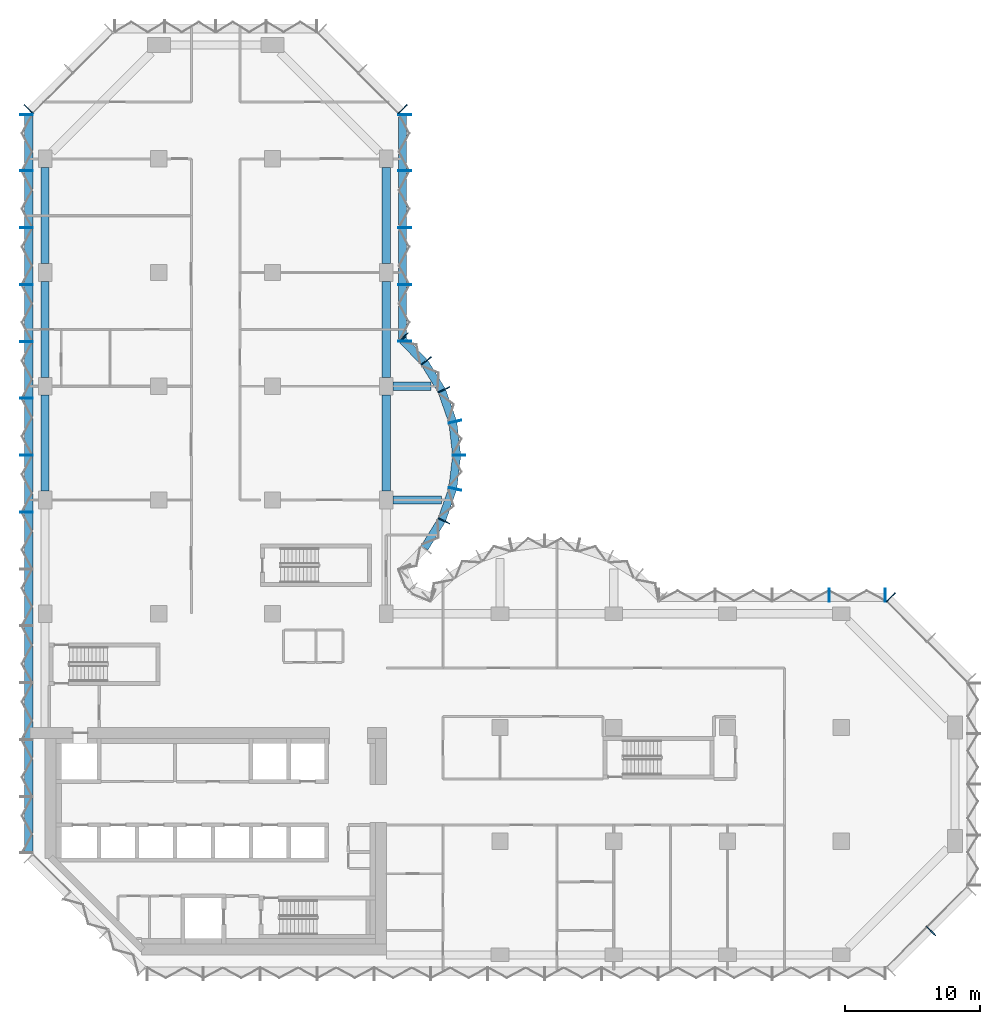
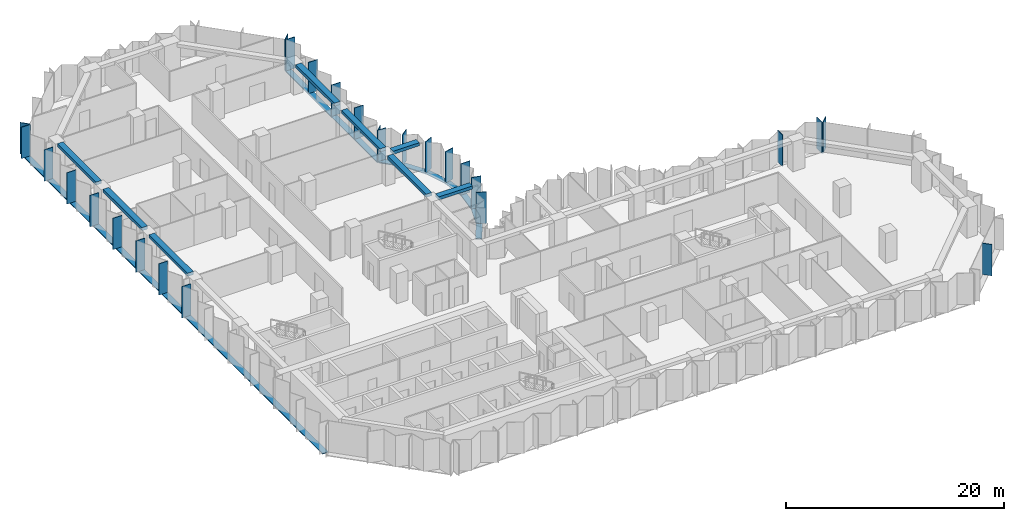
# One storey, part 3 of 13: 35 members, 8 beams, 8 elements without a shape of their own.
"""IFC4 building model written with IfcOpenShell, lengths in metres."""

from ifc_helpers import new_model, si_unit, direction, frame, origin, origin_2d, place, context, subcontext, project, spatial, rectangle, extrude, material, material_profile, profile_set, type_object, element, aggregate, save


model = new_model("IFC4")

# Units and contexts
model_context = context("Model", 3, precision=1e-05, world=origin(), true_north=direction((0.0, 1.0)))
body_context = subcontext(model_context, "Body", "Model", "MODEL_VIEW")
ifc_project = project(units=[si_unit("LENGTHUNIT", "METRE"), si_unit("AREAUNIT", "SQUARE_METRE"), si_unit("VOLUMEUNIT", "CUBIC_METRE"), si_unit("PLANEANGLEUNIT", "RADIAN"), si_unit("MASSUNIT", "GRAM", prefix="KILO")], contexts=[model_context])

# Site, building, storey
site_placement = place(None, origin())
site = spatial("IfcSite", under=ifc_project, at=site_placement, CompositionType="ELEMENT")
building_placement = place(site_placement, origin())
building = spatial("IfcBuilding", under=site, at=building_placement, Name="Brevane Broadcast Tower", CompositionType="ELEMENT")
storey_placement = place(building_placement, frame((0.0, 0.0, 106.10009765625)))
storey = spatial("IfcBuildingStorey", under=building, at=storey_placement, Name="L25", CompositionType="ELEMENT", Elevation=106.10009765625)

# Curtain wall, member
ifc_material_1 = material(Name="Aluminium 6063-T6 bronze anodised", Category="aluminium")
curtain_wall_type = type_object("IfcCurtainWallType", Name="CW-1 curtain wall", PredefinedType="NOTDEFINED", material=ifc_material_1)
curtain_wall_1_placement = place(storey_placement, origin())
curtain_wall_1 = element("IfcCurtainWall", 1, at=curtain_wall_1_placement, inside=storey, type_object=curtain_wall_type, Name="CW-1 typical tilted unit L25 south-east chamfer", PredefinedType="NOTDEFINED")
ifc_material_profile_1 = material_profile(ifc_material_1, rectangle(XDim=0.949951171875, YDim=0.070068359375, at=origin_2d()), Name="RECT 70x950")
ifc_profile_set_1 = profile_set([ifc_material_profile_1], Name="Aluminium 6063-T6 bronze anodised")
member_type_1 = type_object("IfcMemberType", Name="CW-1 mullion 70x950", PredefinedType="MULLION", material=ifc_profile_set_1)
member_1_placement = place(storey_placement, frame((65.435791015625, 1.76416015625, -0.150146484375), z_axis=(0.0, 0.0, 1.0), x_axis=(-0.707106781187, 0.707106781187, 0.0)))
member_1 = element("IfcMember", 2, at=member_1_placement, type_object=member_type_1, Name="CW-1 mullion", PredefinedType="MULLION", context=body_context, shape_type="SweptSolid", body=[
    extrude(rectangle(XDim=0.949951171875, YDim=0.070068359375, at=origin_2d()), origin(), (0.0, 0.0, 1.0), 3.5),
])
aggregate(curtain_wall_1, [member_1])

curtain_wall_2_placement = place(storey_placement, origin())
curtain_wall_2 = element("IfcCurtainWall", 3, at=curtain_wall_2_placement, inside=storey, type_object=curtain_wall_type, Name="CW-1 typical tilted unit L25 north-east chamfer", PredefinedType="NOTDEFINED")
member_2_placement = place(storey_placement, frame((62.460693359375, 26.4111328125, -0.150146484375), z_axis=(0.0, 0.0, 1.0), x_axis=(-0.707106781187, -0.707106781187, 0.0)))
member_2 = element("IfcMember", 4, at=member_2_placement, type_object=member_type_1, Name="CW-1 mullion", PredefinedType="MULLION", context=body_context, shape_type="SweptSolid", body=[
    extrude(rectangle(XDim=0.949951171875, YDim=0.070068359375, at=origin_2d()), origin(), (0.0, 0.0, 1.0), 3.5),
])
aggregate(curtain_wall_2, [member_2])

# Curtain wall, members
curtain_wall_3_placement = place(storey_placement, origin())
curtain_wall_3 = element("IfcCurtainWall", 5, at=curtain_wall_3_placement, inside=storey, type_object=curtain_wall_type, Name="CW-1 typical tilted unit L25 east arm north face", PredefinedType="NOTDEFINED")
member_3_placement = place(storey_placement, frame((62.06494140625, 26.574951171875, -0.150146484375), z_axis=(0.0, 0.0, 1.0), x_axis=(0.0, -1.0, 0.0)))
member_3 = element("IfcMember", 6, at=member_3_placement, type_object=member_type_1, Name="CW-1 mullion", PredefinedType="MULLION", context=body_context, shape_type="SweptSolid", body=[
    extrude(rectangle(XDim=0.949951171875, YDim=0.070068359375, at=origin_2d()), origin(), (0.0, 0.0, 1.0), 3.5),
])
member_4_placement = place(storey_placement, frame((57.89990234375, 26.574951171875, -0.150146484375), z_axis=(0.0, 0.0, 1.0), x_axis=(0.0, -1.0, 0.0)))
member_4 = element("IfcMember", 7, at=member_4_placement, type_object=member_type_1, Name="CW-1 mullion", PredefinedType="MULLION", context=body_context, shape_type="SweptSolid", body=[
    extrude(rectangle(XDim=0.949951171875, YDim=0.070068359375, at=origin_2d()), origin(), (0.0, 0.0, 1.0), 3.5),
])
aggregate(curtain_wall_3, [member_3, member_4])

curtain_wall_4_placement = place(storey_placement, origin())
curtain_wall_4 = element("IfcCurtainWall", 8, at=curtain_wall_4_placement, inside=storey, type_object=curtain_wall_type, Name="CW-1 typical tilted unit L25 north bow", PredefinedType="NOTDEFINED")
member_5_placement = place(storey_placement, frame((29.4580078125, 32.05322265625, -0.150146484375), z_axis=(0.0, 0.0, 1.0), x_axis=(-0.902860508933, 0.429933601163, 0.0)))
member_5 = element("IfcMember", 9, at=member_5_placement, type_object=member_type_1, Name="CW-1 mullion", PredefinedType="MULLION", context=body_context, shape_type="SweptSolid", body=[
    extrude(rectangle(XDim=0.949951171875, YDim=0.070068359375, at=origin_2d()), origin(), (0.0, 0.0, 1.0), 3.5),
])
member_6_placement = place(storey_placement, frame((30.28076171875, 34.411865234375, -0.150146484375), z_axis=(0.0, 0.0, 1.0), x_axis=(-0.974403430594, 0.224806482215, 0.0)))
member_6 = element("IfcMember", 10, at=member_6_placement, type_object=member_type_1, Name="CW-1 mullion", PredefinedType="MULLION", context=body_context, shape_type="SweptSolid", body=[
    extrude(rectangle(XDim=0.949951171875, YDim=0.070068359375, at=origin_2d()), origin(), (0.0, 0.0, 1.0), 3.5),
])
member_7_placement = place(storey_placement, frame((30.574951171875, 36.89990234375, -0.150146484375), z_axis=(0.0, 0.0, 1.0), x_axis=(-1.0, 0.0, 0.0)))
member_7 = element("IfcMember", 11, at=member_7_placement, type_object=member_type_1, Name="CW-1 mullion", PredefinedType="MULLION", context=body_context, shape_type="SweptSolid", body=[
    extrude(rectangle(XDim=0.949951171875, YDim=0.070068359375, at=origin_2d()), origin(), (0.0, 0.0, 1.0), 3.5),
])
member_8_placement = place(storey_placement, frame((30.28076171875, 39.38818359375, -0.150146484375), z_axis=(0.0, 0.0, 1.0), x_axis=(-0.974403430594, -0.224806482215, 0.0)))
member_8 = element("IfcMember", 12, at=member_8_placement, type_object=member_type_1, Name="CW-1 mullion", PredefinedType="MULLION", context=body_context, shape_type="SweptSolid", body=[
    extrude(rectangle(XDim=0.949951171875, YDim=0.070068359375, at=origin_2d()), origin(), (0.0, 0.0, 1.0), 3.5),
])
member_9_placement = place(storey_placement, frame((29.4580078125, 41.746826171875, -0.150146484375), z_axis=(0.0, 0.0, 1.0), x_axis=(-0.902860508933, -0.429933601163, 0.0)))
member_9 = element("IfcMember", 13, at=member_9_placement, type_object=member_type_1, Name="CW-1 mullion", PredefinedType="MULLION", context=body_context, shape_type="SweptSolid", body=[
    extrude(rectangle(XDim=0.949951171875, YDim=0.070068359375, at=origin_2d()), origin(), (0.0, 0.0, 1.0), 3.5),
])
member_10_placement = place(storey_placement, frame((28.1455078125, 43.8720703125, -0.150146484375), z_axis=(0.0, 0.0, 1.0), x_axis=(-0.788706642853, -0.614769738617, 0.0)))
member_10 = element("IfcMember", 14, at=member_10_placement, type_object=member_type_1, Name="CW-1 mullion", PredefinedType="MULLION", context=body_context, shape_type="SweptSolid", body=[
    extrude(rectangle(XDim=0.949951171875, YDim=0.070068359375, at=origin_2d()), origin(), (0.0, 0.0, 1.0), 3.5),
])
member_11_placement = place(storey_placement, frame((26.465087890625, 45.60595703125, -0.150146484375), z_axis=(0.0, 0.0, 1.0), x_axis=(-0.717253872699, -0.696811941702, 0.0)))
member_11 = element("IfcMember", 15, at=member_11_placement, type_object=member_type_1, Name="CW-1 mullion", PredefinedType="MULLION", context=body_context, shape_type="SweptSolid", body=[
    extrude(rectangle(XDim=0.949951171875, YDim=0.070068359375, at=origin_2d()), origin(), (0.0, 0.0, 1.0), 3.5),
])

curtain_wall_5_placement = place(storey_placement, origin())
curtain_wall_5 = element("IfcCurtainWall", 16, at=curtain_wall_5_placement, inside=storey, type_object=curtain_wall_type, Name="CW-1 typical tilted unit L25 north arm east face", PredefinedType="NOTDEFINED")
member_12_placement = place(storey_placement, frame((26.574951171875, 45.3349609375, -0.150146484375), z_axis=(0.0, 0.0, 1.0), x_axis=(-1.0, 0.0, 0.0)))
member_12 = element("IfcMember", 17, at=member_12_placement, type_object=member_type_1, Name="CW-1 mullion", PredefinedType="MULLION", context=body_context, shape_type="SweptSolid", body=[
    extrude(rectangle(XDim=0.949951171875, YDim=0.070068359375, at=origin_2d()), origin(), (0.0, 0.0, 1.0), 3.5),
])
member_13_placement = place(storey_placement, frame((26.574951171875, 49.5, -0.150146484375), z_axis=(0.0, 0.0, 1.0), x_axis=(-1.0, 0.0, 0.0)))
member_13 = element("IfcMember", 18, at=member_13_placement, type_object=member_type_1, Name="CW-1 mullion", PredefinedType="MULLION", context=body_context, shape_type="SweptSolid", body=[
    extrude(rectangle(XDim=0.949951171875, YDim=0.070068359375, at=origin_2d()), origin(), (0.0, 0.0, 1.0), 3.5),
])
member_14_placement = place(storey_placement, frame((26.574951171875, 53.699951171875, -0.150146484375), z_axis=(0.0, 0.0, 1.0), x_axis=(-1.0, 0.0, 0.0)))
member_14 = element("IfcMember", 19, at=member_14_placement, type_object=member_type_1, Name="CW-1 mullion", PredefinedType="MULLION", context=body_context, shape_type="SweptSolid", body=[
    extrude(rectangle(XDim=0.949951171875, YDim=0.070068359375, at=origin_2d()), origin(), (0.0, 0.0, 1.0), 3.5),
])
member_15_placement = place(storey_placement, frame((26.574951171875, 57.89990234375, -0.150146484375), z_axis=(0.0, 0.0, 1.0), x_axis=(-1.0, 0.0, 0.0)))
member_15 = element("IfcMember", 20, at=member_15_placement, type_object=member_type_1, Name="CW-1 mullion", PredefinedType="MULLION", context=body_context, shape_type="SweptSolid", body=[
    extrude(rectangle(XDim=0.949951171875, YDim=0.070068359375, at=origin_2d()), origin(), (0.0, 0.0, 1.0), 3.5),
])
member_16_placement = place(storey_placement, frame((26.574951171875, 62.06494140625, -0.150146484375), z_axis=(0.0, 0.0, 1.0), x_axis=(-1.0, 0.0, 0.0)))
member_16 = element("IfcMember", 21, at=member_16_placement, type_object=member_type_1, Name="CW-1 mullion", PredefinedType="MULLION", context=body_context, shape_type="SweptSolid", body=[
    extrude(rectangle(XDim=0.949951171875, YDim=0.070068359375, at=origin_2d()), origin(), (0.0, 0.0, 1.0), 3.5),
])

# Curtain wall, member
curtain_wall_6_placement = place(storey_placement, origin())
curtain_wall_6 = element("IfcCurtainWall", 22, at=curtain_wall_6_placement, inside=storey, type_object=curtain_wall_type, Name="CW-1 typical tilted unit L25 north arm north-east chamfer", PredefinedType="NOTDEFINED")
member_17_placement = place(storey_placement, frame((26.4111328125, 62.460693359375, -0.150146484375), z_axis=(0.0, 0.0, 1.0), x_axis=(-0.707106781187, -0.707106781187, 0.0)))
member_17 = element("IfcMember", 23, at=member_17_placement, type_object=member_type_1, Name="CW-1 mullion", PredefinedType="MULLION", context=body_context, shape_type="SweptSolid", body=[
    extrude(rectangle(XDim=0.949951171875, YDim=0.070068359375, at=origin_2d()), origin(), (0.0, 0.0, 1.0), 3.5),
])
aggregate(curtain_wall_6, [member_17])

curtain_wall_7_placement = place(storey_placement, origin())
curtain_wall_7 = element("IfcCurtainWall", 24, at=curtain_wall_7_placement, inside=storey, type_object=curtain_wall_type, Name="CW-1 typical tilted unit L25 north-west chamfer", PredefinedType="NOTDEFINED")
member_18_placement = place(storey_placement, frame((-1.211181640625, 62.460693359375, -0.150146484375), z_axis=(0.0, 0.0, 1.0), x_axis=(0.707106781187, -0.707106781187, 0.0)))
member_18 = element("IfcMember", 25, at=member_18_placement, type_object=member_type_1, Name="CW-1 mullion", PredefinedType="MULLION", context=body_context, shape_type="SweptSolid", body=[
    extrude(rectangle(XDim=0.949951171875, YDim=0.070068359375, at=origin_2d()), origin(), (0.0, 0.0, 1.0), 3.5),
])
aggregate(curtain_wall_7, [member_18])

# Curtain wall, members
curtain_wall_8_placement = place(storey_placement, origin())
curtain_wall_8 = element("IfcCurtainWall", 26, at=curtain_wall_8_placement, inside=storey, type_object=curtain_wall_type, Name="CW-1 typical tilted unit L25 west face", PredefinedType="NOTDEFINED")
member_19_placement = place(storey_placement, frame((-1.375, 62.06494140625, -0.150146484375), z_axis=(0.0, 0.0, 1.0), x_axis=(1.0, 0.0, 0.0)))
member_19 = element("IfcMember", 27, at=member_19_placement, type_object=member_type_1, Name="CW-1 mullion", PredefinedType="MULLION", context=body_context, shape_type="SweptSolid", body=[
    extrude(rectangle(XDim=0.949951171875, YDim=0.070068359375, at=origin_2d()), origin(), (0.0, 0.0, 1.0), 3.5),
])
member_20_placement = place(storey_placement, frame((-1.375, 57.89990234375, -0.150146484375), z_axis=(0.0, 0.0, 1.0), x_axis=(1.0, 0.0, 0.0)))
member_20 = element("IfcMember", 28, at=member_20_placement, type_object=member_type_1, Name="CW-1 mullion", PredefinedType="MULLION", context=body_context, shape_type="SweptSolid", body=[
    extrude(rectangle(XDim=0.949951171875, YDim=0.070068359375, at=origin_2d()), origin(), (0.0, 0.0, 1.0), 3.5),
])
member_21_placement = place(storey_placement, frame((-1.375, 53.699951171875, -0.150146484375), z_axis=(0.0, 0.0, 1.0), x_axis=(1.0, 0.0, 0.0)))
member_21 = element("IfcMember", 29, at=member_21_placement, type_object=member_type_1, Name="CW-1 mullion", PredefinedType="MULLION", context=body_context, shape_type="SweptSolid", body=[
    extrude(rectangle(XDim=0.949951171875, YDim=0.070068359375, at=origin_2d()), origin(), (0.0, 0.0, 1.0), 3.5),
])
member_22_placement = place(storey_placement, frame((-1.375, 49.5, -0.150146484375), z_axis=(0.0, 0.0, 1.0), x_axis=(1.0, 0.0, 0.0)))
member_22 = element("IfcMember", 30, at=member_22_placement, type_object=member_type_1, Name="CW-1 mullion", PredefinedType="MULLION", context=body_context, shape_type="SweptSolid", body=[
    extrude(rectangle(XDim=0.949951171875, YDim=0.070068359375, at=origin_2d()), origin(), (0.0, 0.0, 1.0), 3.5),
])
member_23_placement = place(storey_placement, frame((-1.375, 45.300048828125, -0.150146484375), z_axis=(0.0, 0.0, 1.0), x_axis=(1.0, 0.0, 0.0)))
member_23 = element("IfcMember", 31, at=member_23_placement, type_object=member_type_1, Name="CW-1 mullion", PredefinedType="MULLION", context=body_context, shape_type="SweptSolid", body=[
    extrude(rectangle(XDim=0.949951171875, YDim=0.070068359375, at=origin_2d()), origin(), (0.0, 0.0, 1.0), 3.5),
])
member_24_placement = place(storey_placement, frame((-1.375, 41.10009765625, -0.150146484375), z_axis=(0.0, 0.0, 1.0), x_axis=(1.0, 0.0, 0.0)))
member_24 = element("IfcMember", 32, at=member_24_placement, type_object=member_type_1, Name="CW-1 mullion", PredefinedType="MULLION", context=body_context, shape_type="SweptSolid", body=[
    extrude(rectangle(XDim=0.949951171875, YDim=0.070068359375, at=origin_2d()), origin(), (0.0, 0.0, 1.0), 3.5),
])
member_25_placement = place(storey_placement, frame((-1.375, 36.89990234375, -0.150146484375), z_axis=(0.0, 0.0, 1.0), x_axis=(1.0, 0.0, 0.0)))
member_25 = element("IfcMember", 33, at=member_25_placement, type_object=member_type_1, Name="CW-1 mullion", PredefinedType="MULLION", context=body_context, shape_type="SweptSolid", body=[
    extrude(rectangle(XDim=0.949951171875, YDim=0.070068359375, at=origin_2d()), origin(), (0.0, 0.0, 1.0), 3.5),
])
member_26_placement = place(storey_placement, frame((-1.375, 32.699951171875, -0.150146484375), z_axis=(0.0, 0.0, 1.0), x_axis=(1.0, 0.0, 0.0)))
member_26 = element("IfcMember", 34, at=member_26_placement, type_object=member_type_1, Name="CW-1 mullion", PredefinedType="MULLION", context=body_context, shape_type="SweptSolid", body=[
    extrude(rectangle(XDim=0.949951171875, YDim=0.070068359375, at=origin_2d()), origin(), (0.0, 0.0, 1.0), 3.5),
])

# Member
ifc_material_profile_2 = material_profile(ifc_material_1, rectangle(XDim=0.60009765625, YDim=0.10009765625, at=origin_2d()), Name="RECT 100x600")
ifc_profile_set_2 = profile_set([ifc_material_profile_2], Name="Aluminium 6063-T6 bronze anodised")
member_type_2 = type_object("IfcMemberType", Name="CW-1 transom 100x600", PredefinedType="USERDEFINED", material=ifc_profile_set_2)
member_27_placement = place(storey_placement, frame((28.023193359375, 30.0576171875, -0.2001953125), z_axis=(0.525427766759, 0.850838211365, 0.0), x_axis=(-0.850838211365, 0.525427766759, 0.0)))
member_27 = element("IfcMember", 35, at=member_27_placement, type_object=member_type_2, Name="CW-1 transom", ObjectType="TRANSOM", PredefinedType="USERDEFINED", context=body_context, shape_type="SweptSolid", body=[
    extrude(rectangle(XDim=0.60009765625, YDim=0.10009765625, at=origin_2d()), origin(), (0.0, 0.0, 1.0), 2.394775390625),
])

member_28_placement = place(storey_placement, frame((29.314208984375, 32.163818359375, -0.2001953125), z_axis=(0.329378497041, 0.944197969542, 0.0), x_axis=(-0.944197969542, 0.329378497041, 0.0)))
member_28 = element("IfcMember", 36, at=member_28_placement, type_object=member_type_2, Name="CW-1 transom", ObjectType="TRANSOM", PredefinedType="USERDEFINED", context=body_context, shape_type="SweptSolid", body=[
    extrude(rectangle(XDim=0.60009765625, YDim=0.10009765625, at=origin_2d()), origin(), (0.0, 0.0, 1.0), 2.394775390625),
])

member_29_placement = place(storey_placement, frame((30.117431640625, 34.499755859375, -0.2001953125), z_axis=(0.117603307202, 0.993060653805, 0.0), x_axis=(-0.993060653805, 0.117603307202, 0.0)))
member_29 = element("IfcMember", 37, at=member_29_placement, type_object=member_type_2, Name="CW-1 transom", ObjectType="TRANSOM", PredefinedType="USERDEFINED", context=body_context, shape_type="SweptSolid", body=[
    extrude(rectangle(XDim=0.60009765625, YDim=0.10009765625, at=origin_2d()), origin(), (0.0, 0.0, 1.0), 2.397705078125),
])

member_30_placement = place(storey_placement, frame((30.3994140625, 36.9189453125, -0.2001953125), z_axis=(-0.117591417, 0.993062061831, 0.0), x_axis=(-0.993062061831, -0.117591417, 0.0)))
member_30 = element("IfcMember", 38, at=member_30_placement, type_object=member_type_2, Name="CW-1 transom", ObjectType="TRANSOM", PredefinedType="USERDEFINED", context=body_context, shape_type="SweptSolid", body=[
    extrude(rectangle(XDim=0.60009765625, YDim=0.10009765625, at=origin_2d()), origin(), (0.0, 0.0, 1.0), 2.39794921875),
])

member_31_placement = place(storey_placement, frame((30.10302734375, 39.375, -0.2001953125), z_axis=(-0.329378497041, 0.944197969542, 0.0), x_axis=(-0.944197969542, -0.329378497041, 0.0)))
member_31 = element("IfcMember", 39, at=member_31_placement, type_object=member_type_2, Name="CW-1 transom", ObjectType="TRANSOM", PredefinedType="USERDEFINED", context=body_context, shape_type="SweptSolid", body=[
    extrude(rectangle(XDim=0.60009765625, YDim=0.10009765625, at=origin_2d()), origin(), (0.0, 0.0, 1.0), 2.394775390625),
])

member_32_placement = place(storey_placement, frame((29.281494140625, 41.704833984375, -0.2001953125), z_axis=(-0.525473345162, 0.850810063131, 0.0), x_axis=(-0.850810063131, -0.525473345162, 0.0)))
member_32 = element("IfcMember", 40, at=member_32_placement, type_object=member_type_2, Name="CW-1 transom", ObjectType="TRANSOM", PredefinedType="USERDEFINED", context=body_context, shape_type="SweptSolid", body=[
    extrude(rectangle(XDim=0.60009765625, YDim=0.10009765625, at=origin_2d()), origin(), (0.0, 0.0, 1.0), 2.39453125),
])

member_33_placement = place(storey_placement, frame((27.974365234375, 43.800537109375, -0.2001953125), z_axis=(-0.696823999134, 0.71724215871, 0.0), x_axis=(-0.71724215871, -0.696823999134, 0.0)))
member_33 = element("IfcMember", 41, at=member_33_placement, type_object=member_type_2, Name="CW-1 transom", ObjectType="TRANSOM", PredefinedType="USERDEFINED", context=body_context, shape_type="SweptSolid", body=[
    extrude(rectangle(XDim=0.60009765625, YDim=0.10009765625, at=origin_2d()), origin(), (0.0, 0.0, 1.0), 2.247802734375),
])

aggregate(curtain_wall_4, [member_5, member_6, member_7, member_8, member_9, member_10, member_11, member_27, member_28, member_29, member_30, member_31, member_32, member_33])

member_34_placement = place(storey_placement, frame((26.39990234375, 45.300048828125, -0.2001953125), z_axis=(0.0, 1.0, 0.0), x_axis=(-1.0, 0.0, 0.0)))
member_34 = element("IfcMember", 42, at=member_34_placement, type_object=member_type_2, Name="CW-1 transom", ObjectType="TRANSOM", PredefinedType="USERDEFINED", context=body_context, shape_type="SweptSolid", body=[
    extrude(rectangle(XDim=0.60009765625, YDim=0.10009765625, at=origin_2d()), origin(), (0.0, 0.0, 1.0), 16.800048828125),
])

aggregate(curtain_wall_5, [member_12, member_13, member_14, member_15, member_16, member_34])

member_35_placement = place(storey_placement, frame((-1.199951171875, 62.10009765625, -0.2001953125), z_axis=(0.0, -1.0, 0.0), x_axis=(1.0, 0.0, 0.0)))
member_35 = element("IfcMember", 43, at=member_35_placement, type_object=member_type_2, Name="CW-1 transom", ObjectType="TRANSOM", PredefinedType="USERDEFINED", context=body_context, shape_type="SweptSolid", body=[
    extrude(rectangle(XDim=0.60009765625, YDim=0.10009765625, at=origin_2d()), origin(), (0.0, 0.0, 1.0), 54.60009765625),
])

aggregate(curtain_wall_8, [member_19, member_20, member_21, member_22, member_23, member_24, member_25, member_26, member_35])

# Beams
ifc_material_2 = material(Name="Concrete C40/50", Category="concrete")
ifc_material_profile_3 = material_profile(ifc_material_2, rectangle(XDim=0.60009765625, YDim=0.35009765625, at=origin_2d()), Name="RC 600x350")
ifc_profile_set_3 = profile_set([ifc_material_profile_3], Name="Concrete C40/50")
beam_type_1 = type_object("IfcBeamType", Name="RC BRACKET BEAM 600x350 C40/50", PredefinedType="BEAM", material=ifc_profile_set_3)
beam_1_placement = place(storey_placement, frame((25.699951171875, 33.60009765625, 3.1748046875), z_axis=(1.0, 0.0, 0.0), x_axis=(0.0, 1.0, 0.0)))
element("IfcBeam", 44, at=beam_1_placement, inside=storey, type_object=beam_type_1, Name="EB2 L25-1", PredefinedType="BEAM", context=body_context, shape_type="SweptSolid", body=[
    extrude(rectangle(XDim=0.60009765625, YDim=0.35009765625, at=origin_2d()), origin(), (0.0, 0.0, 1.0), 3.56201171875),
])
beam_2_placement = place(storey_placement, frame((25.699951171875, 42.0, 3.1748046875), z_axis=(1.0, 0.0, 0.0), x_axis=(0.0, 1.0, 0.0)))
element("IfcBeam", 45, at=beam_2_placement, inside=storey, type_object=beam_type_1, Name="EB2 L25-2", PredefinedType="BEAM", context=body_context, shape_type="SweptSolid", body=[
    extrude(rectangle(XDim=0.60009765625, YDim=0.35009765625, at=origin_2d()), origin(), (0.0, 0.0, 1.0), 2.8115234375),
])
ifc_material_profile_4 = material_profile(ifc_material_2, rectangle(XDim=0.60009765625, YDim=0.35009765625, at=origin_2d()), Name="RC 600x350")
ifc_profile_set_4 = profile_set([ifc_material_profile_4], Name="Concrete C40/50")
beam_type_2 = type_object("IfcBeamType", Name="RC SPANDREL BEAM 600x350 C40/50", PredefinedType="SPANDREL", material=ifc_profile_set_4)
for number, where, z_axis, x_axis, name in (
    (46, (25.199951171875, 34.25, 3.1748046875), (0.0, 1.0, 0.0), (-1.0, 0.0, 0.0), "EB1 L25-13"),
    (47, (25.199951171875, 42.64990234375, 3.1748046875), (0.0, 1.0, 0.0), (-1.0, 0.0, 0.0), "EB1 L25-14"),
):
    element("IfcBeam", number, at=place(storey_placement, frame(where, z_axis=z_axis, x_axis=x_axis)), inside=storey, type_object=beam_type_2, Name=name, PredefinedType="SPANDREL", context=body_context, shape_type="SweptSolid", body=[
        extrude(rectangle(XDim=0.60009765625, YDim=0.35009765625, at=origin_2d()), origin(), (0.0, 0.0, 1.0), 7.10009765625),
    ])
for number, where, z_axis, x_axis, name in (
    (48, (25.199951171875, 51.050048828125, 3.1748046875), (0.0, 1.0, 0.0), (-1.0, 0.0, 0.0), "EB1 L25-15"),
    (49, (0.0, 58.14990234375, 3.1748046875), (0.0, -1.0, 0.0), (1.0, 0.0, 0.0), "EB1 L25-19"),
):
    element("IfcBeam", number, at=place(storey_placement, frame(where, z_axis=z_axis, x_axis=x_axis)), inside=storey, type_object=beam_type_2, Name=name, PredefinedType="SPANDREL", context=body_context, shape_type="SweptSolid", body=[
        extrude(rectangle(XDim=0.60009765625, YDim=0.35009765625, at=origin_2d()), origin(), (0.0, 0.0, 1.0), 7.099853515625),
    ])
for number, where, z_axis, x_axis, name in (
    (50, (0.0, 49.75, 3.1748046875), (0.0, -1.0, 0.0), (1.0, 0.0, 0.0), "EB1 L25-20"),
    (51, (0.0, 41.35009765625, 3.1748046875), (0.0, -1.0, 0.0), (1.0, 0.0, 0.0), "EB1 L25-21"),
):
    element("IfcBeam", number, at=place(storey_placement, frame(where, z_axis=z_axis, x_axis=x_axis)), inside=storey, type_object=beam_type_2, Name=name, PredefinedType="SPANDREL", context=body_context, shape_type="SweptSolid", body=[
        extrude(rectangle(XDim=0.60009765625, YDim=0.35009765625, at=origin_2d()), origin(), (0.0, 0.0, 1.0), 7.10009765625),
    ])

save(model, "model.ifc")
